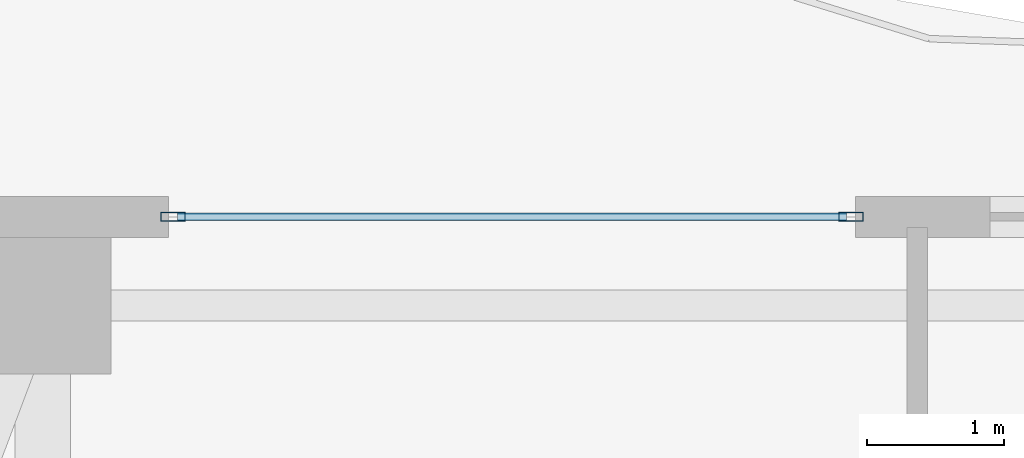
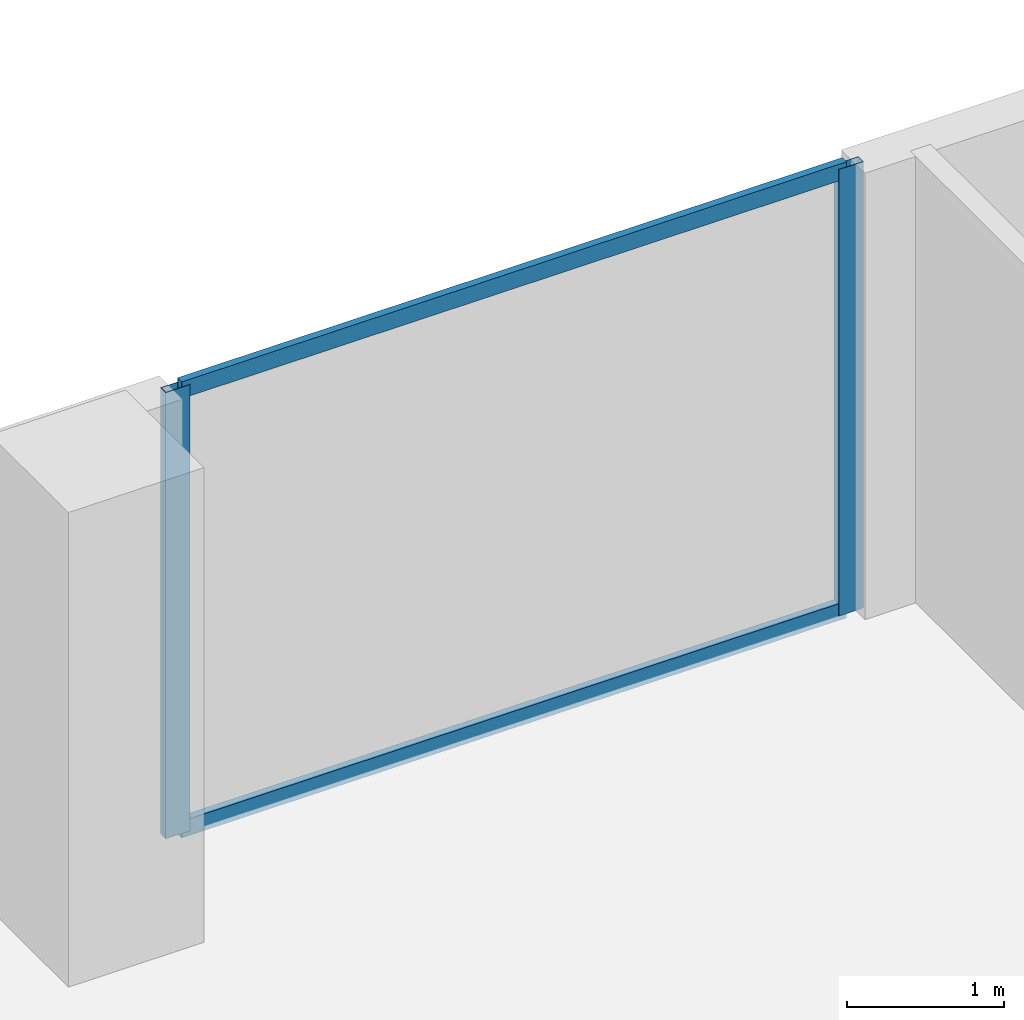
# One storey, part 12 of 24: 4 members, 1 element without a shape of its own.
"""IFC4 building model written with IfcOpenShell, lengths in metres."""

from ifc_helpers import new_model, si_unit, direction, frame, origin, origin_2d, place, context, subcontext, project, spatial, hollow_rectangle, extrude, material, layer, layer_set, material_profile, profile_set, type_object, element, aggregate, save


model = new_model("IFC4")

# Units and contexts
model_context = context("Model", 3, precision=1e-05, world=origin(), true_north=direction((0.0, 1.0)))
body_context = subcontext(model_context, "Body", "Model", "MODEL_VIEW")
ifc_project = project(units=[si_unit("LENGTHUNIT", "METRE"), si_unit("AREAUNIT", "SQUARE_METRE"), si_unit("VOLUMEUNIT", "CUBIC_METRE"), si_unit("PLANEANGLEUNIT", "RADIAN"), si_unit("MASSUNIT", "GRAM", prefix="KILO")], contexts=[model_context])

# Site, building, storey
site_placement = place(None, origin())
site = spatial("IfcSite", under=ifc_project, at=site_placement, CompositionType="ELEMENT")
building_placement = place(site_placement, origin())
building = spatial("IfcBuilding", under=site, at=building_placement, Name="Zuhayl Quay Hotel", CompositionType="ELEMENT")
storey_placement = place(building_placement, frame((0.0, 0.0, 269.25)))
storey = spatial("IfcBuildingStorey", under=building, at=storey_placement, Name="L68", CompositionType="ELEMENT", Elevation=269.25)

# Curtain wall, members
ifc_material_1 = material(Name="Anodised Aluminium 6063-T6", Category="aluminium")
ifc_layer = layer(ifc_material_1, 0.169921875, Name="Anodised Aluminium 6063-T6", Category="aluminium")
ifc_layer_set = layer_set([ifc_layer], Name="Anodised Aluminium 6063-T6")
curtain_wall_type = type_object("IfcCurtainWallType", Name="CW_SYS_Z4", PredefinedType="USERDEFINED", material=ifc_layer_set)
curtain_wall_placement = place(storey_placement, origin())
curtain_wall = element("IfcCurtainWall", 1, at=curtain_wall_placement, inside=storey, type_object=curtain_wall_type, Name="L68 Curtain Wall ENV_L68_N_CW1", ObjectType="UNITISED CURTAIN WALL", PredefinedType="USERDEFINED")
ifc_material_2 = material(Name="Black-anodised aluminium 6063-T6", Category="aluminium")
ifc_material_profile_1 = material_profile(ifc_material_2, hollow_rectangle(XDim=0.06494140625, YDim=0.179931640625, WallThickness=0.00341796875, at=origin_2d()), Name="ALU180X65")
ifc_profile_set_1 = profile_set([ifc_material_profile_1], Name="Black-anodised aluminium 6063-T6")
member_type_1 = type_object("IfcMemberType", Name="MB_CW_MUL_180", PredefinedType="MULLION", material=ifc_profile_set_1)
member_1_placement = place(storey_placement, frame((-12.847412109375, 39.0, 0.0), z_axis=(0.0, 0.0, 1.0), x_axis=(0.0, 1.0, 0.0)))
member_1 = element("IfcMember", 2, at=member_1_placement, type_object=member_type_1, Name="CW-Z4 mullion 1", PredefinedType="MULLION", context=body_context, shape_type="SweptSolid", body=[
    extrude(hollow_rectangle(XDim=0.06494140625, YDim=0.179931640625, WallThickness=0.00341796875, at=origin_2d()), origin(), (0.0, 0.0, 1.0), 3.47998046875),
])
member_2_placement = place(storey_placement, frame((-7.882568359375, 39.0, 0.0), z_axis=(0.0, 0.0, 1.0), x_axis=(0.0, 1.0, 0.0)))
member_2 = element("IfcMember", 3, at=member_2_placement, type_object=member_type_1, Name="CW-Z4 mullion 2", PredefinedType="MULLION", context=body_context, shape_type="SweptSolid", body=[
    extrude(hollow_rectangle(XDim=0.06494140625, YDim=0.179931640625, WallThickness=0.00341796875, at=origin_2d()), origin(), (0.0, 0.0, 1.0), 3.47998046875),
])
ifc_material_profile_2 = material_profile(ifc_material_2, hollow_rectangle(XDim=0.054931640625, YDim=0.1298828125, WallThickness=0.0029296875, at=origin_2d()), Name="ALU130X55")
ifc_profile_set_2 = profile_set([ifc_material_profile_2], Name="Black-anodised aluminium 6063-T6")
member_type_2 = type_object("IfcMemberType", Name="MB_CW_TRN_130", PredefinedType="USERDEFINED", material=ifc_profile_set_2)
member_3_placement = place(storey_placement, frame((-12.81494140625, 39.0, 0.027587890625), z_axis=(1.0, 0.0, 0.0), x_axis=(0.0, 1.0, 0.0)))
member_3 = element("IfcMember", 4, at=member_3_placement, type_object=member_type_2, Name="CW-Z4 transom 1.1", ObjectType="TRANSOM", PredefinedType="USERDEFINED", context=body_context, shape_type="SweptSolid", body=[
    extrude(hollow_rectangle(XDim=0.054931640625, YDim=0.1298828125, WallThickness=0.0029296875, at=origin_2d()), origin(), (0.0, 0.0, 1.0), 4.89990234375),
])
member_4_placement = place(storey_placement, frame((-12.81494140625, 39.0, 3.452392578125), z_axis=(1.0, 0.0, 0.0), x_axis=(0.0, 1.0, 0.0)))
member_4 = element("IfcMember", 5, at=member_4_placement, type_object=member_type_2, Name="CW-Z4 transom 1.2", ObjectType="TRANSOM", PredefinedType="USERDEFINED", context=body_context, shape_type="SweptSolid", body=[
    extrude(hollow_rectangle(XDim=0.054931640625, YDim=0.1298828125, WallThickness=0.0029296875, at=origin_2d()), origin(), (0.0, 0.0, 1.0), 4.89990234375),
])
aggregate(curtain_wall, [member_1, member_2, member_3, member_4])

save(model, "model.ifc")
